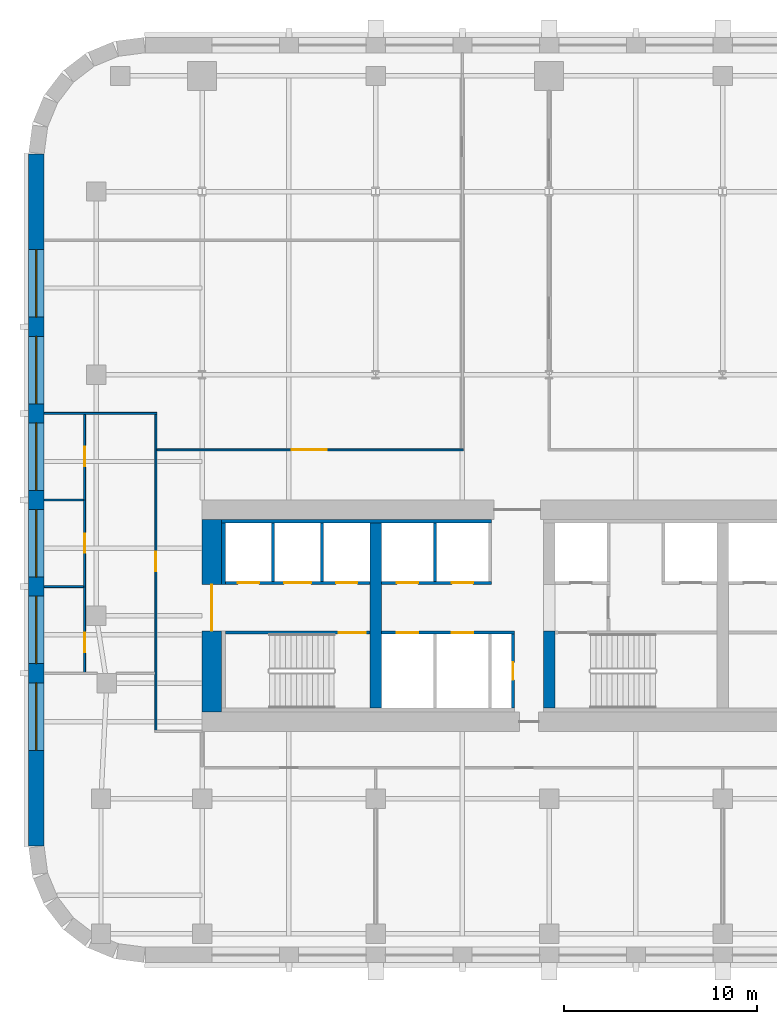
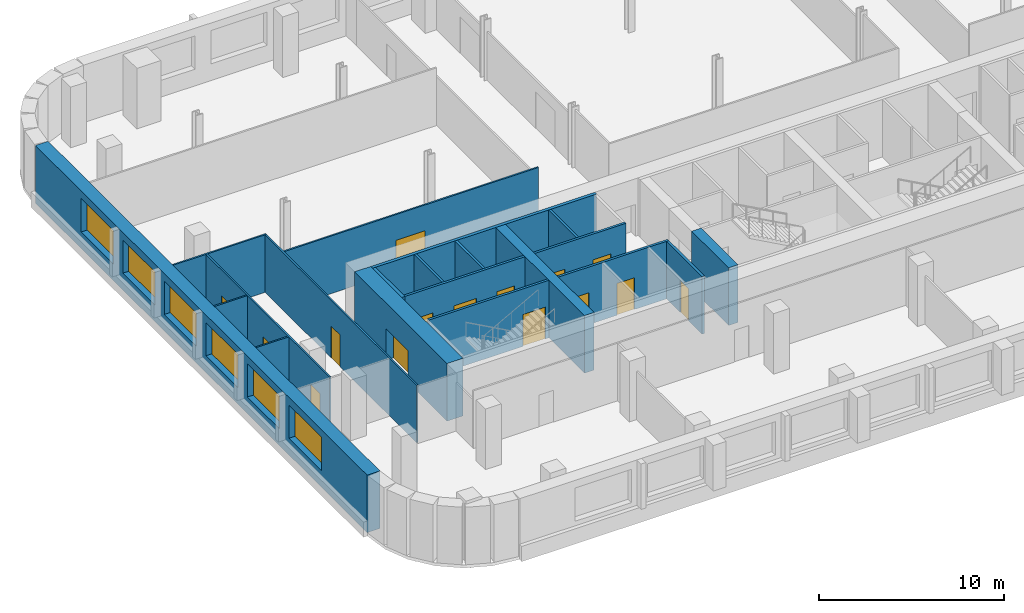
# One storey, part 3 of 9: 20 walls, 15 doors, 6 windows, 21 openings.
"""IFC4 building model written with IfcOpenShell, lengths in metres."""

from ifc_helpers import new_model, si_unit, direction, frame, frame_2d, origin, place, context, subcontext, project, spatial, rectangle, extrude, material, layer, layer_set, type_object, element, fill, save


model = new_model("IFC4")

# Units and contexts
model_context = context("Model", 3, precision=1e-05, world=origin(), true_north=direction((0.0, 1.0)))
body_context = subcontext(model_context, "Body", "Model", "MODEL_VIEW")
ifc_project = project(units=[si_unit("LENGTHUNIT", "METRE"), si_unit("AREAUNIT", "SQUARE_METRE"), si_unit("VOLUMEUNIT", "CUBIC_METRE"), si_unit("PLANEANGLEUNIT", "RADIAN"), si_unit("MASSUNIT", "GRAM", prefix="KILO")], contexts=[model_context])

# Site, building, storey
site_placement = place(None, origin())
site = spatial("IfcSite", under=ifc_project, at=site_placement, CompositionType="ELEMENT")
building_placement = place(site_placement, origin())
building = spatial("IfcBuilding", under=site, at=building_placement, Name="Zellij Exchange Tower", CompositionType="ELEMENT")
storey_placement = place(building_placement, frame((0.0, 0.0, 112.5)))
storey = spatial("IfcBuildingStorey", under=building, at=storey_placement, Name="L24", CompositionType="ELEMENT", Elevation=112.5)

# Walls
ifc_material_1 = material(Name="Concrete C70/85", Category="concrete")
ifc_layer_1 = layer(ifc_material_1, 0.60009765625)
ifc_layer_set_1 = layer_set([ifc_layer_1], Name="Concrete C70/85")
wall_type_1 = type_object("IfcWallType", Name="CORE-CW 600 C70/85", PredefinedType="SHEAR", material=ifc_layer_set_1)
wall_1_placement = place(storey_placement, frame((-18.0, -12.800048828125, 0.0), z_axis=(0.0, 0.0, 1.0), x_axis=(0.0, 1.0, 0.0)))
element("IfcWall", 1, at=wall_1_placement, inside=storey, type_object=wall_type_1, Name="Core cross wall x -18 L24", PredefinedType="SHEAR", context=body_context, shape_type="SweptSolid", body=[
    extrude(rectangle(XDim=9.60009765625, YDim=0.60009765625, at=frame_2d((4.800048828125, 0.0))), origin(), (0.0, 0.0, 1.0), 3.800048828125),
])
wall_2_placement = place(storey_placement, frame((-9.0, -12.800048828125, 0.0), z_axis=(0.0, 0.0, 1.0), x_axis=(0.0, 1.0, 0.0)))
element("IfcWall", 2, at=wall_2_placement, inside=storey, type_object=wall_type_1, Name="Core cross wall pier x -9 a L24", PredefinedType="SHEAR", context=body_context, shape_type="SweptSolid", body=[
    extrude(rectangle(XDim=4.0, YDim=0.60009765625, at=frame_2d((2.0, 0.0))), origin(), (0.0, 0.0, 1.0), 3.800048828125),
])
ifc_material_2 = material(Name="Concrete C30/37", Category="concrete")
ifc_layer_2 = layer(ifc_material_2, 0.199951171875)
ifc_layer_set_2 = layer_set([ifc_layer_2], Name="Concrete C30/37")
wall_type_2 = type_object("IfcWallType", Name="CORE-LW 200 C30/37", PredefinedType="SHEAR", material=ifc_layer_set_2)
wall_3_placement = place(storey_placement, frame((-26.0, -3.10009765625, 0.0), z_axis=(0.0, 0.0, 1.0), x_axis=(1.0, 0.0, 0.0)))
element("IfcWall", 3, at=wall_3_placement, inside=storey, type_object=wall_type_2, Name="Core wall lining front.0 L24", PredefinedType="SHEAR", context=body_context, shape_type="SweptSolid", body=[
    extrude(rectangle(XDim=14.0, YDim=0.199951171875, at=frame_2d((7.0, 0.0))), origin(), (0.0, 0.0, 1.0), 3.800048828125),
])
wall_4_placement = place(storey_placement, frame((-25.89990234375, -6.375, 0.0), z_axis=(0.0, 0.0, 1.0), x_axis=(0.0, 1.0, 0.0)))
element("IfcWall", 4, at=wall_4_placement, inside=storey, type_object=wall_type_2, Name="Core wall lining end w.1 L24", PredefinedType="SHEAR", context=body_context, shape_type="SweptSolid", body=[
    extrude(rectangle(XDim=3.175048828125, YDim=0.199951171875, at=frame_2d((1.58740234375, 0.0))), origin(), (0.0, 0.0, 1.0), 3.800048828125),
])

# Wall, opening, door
ifc_material_3 = material(Name="Gypsum board partition")
ifc_layer_3 = layer(ifc_material_3, 0.14990234375)
ifc_layer_set_3 = layer_set([ifc_layer_3], Name="Gypsum board partition")
wall_type_3 = type_object("IfcWallType", Name="CORE-PW 150 Lift lobby wall", PredefinedType="PARTITIONING", material=ifc_layer_set_3)
wall_5_placement = place(storey_placement, frame((-10.875, -12.800048828125, 0.0), z_axis=(0.0, 0.0, 1.0), x_axis=(0.0, 1.0, 0.0)))
wall_5 = element("IfcWall", 5, at=wall_5_placement, inside=storey, type_object=wall_type_3, Name="Lift lobby wall L24", PredefinedType="PARTITIONING", context=body_context, shape_type="SweptSolid", body=[
    extrude(rectangle(XDim=3.85009765625, YDim=0.14990234375, at=frame_2d((1.925048828125, 0.0))), origin(), (0.0, 0.0, 1.0), 3.800048828125),
])
opening_1_placement = place(wall_5_placement, frame((1.47509765625, 0.0, 0.0)))
opening_1 = element("IfcOpeningElement", 6, at=opening_1_placement, cuts=wall_5, Name="Opening CA-14.10", PredefinedType="OPENING", context=body_context, shape_type="SweptSolid", body=[
    extrude(rectangle(XDim=0.89990234375, YDim=2.10009765625, at=frame_2d((0.449951171875, 1.050048828125))), frame((0.0, 0.0869140625, 0.0), z_axis=(0.0, -1.0, 0.0), x_axis=(1.0, 0.0, 0.0)), (0.0, 0.0, 1.0), 0.173828125),
])
ifc_material_4 = material(Name="Hollow metal fire door")
door_type_1 = type_object("IfcDoorType", Name="CORE-D RD Riser door 900x2100 1.5 HR", OperationType="NOTDEFINED", PredefinedType="DOOR", material=ifc_material_4)
door_1_placement = place(opening_1_placement, origin())
door_1 = element("IfcDoor", 7, at=door_1_placement, inside=storey, type_object=door_type_1, Name="Riser door CA-14.10", OperationType="SINGLE_SWING_RIGHT", OverallHeight=2.10009765625, OverallWidth=0.89990234375, PredefinedType="DOOR", context=body_context, shape_type="SweptSolid", body=[
    extrude(rectangle(XDim=0.89990234375, YDim=2.10009765625, at=frame_2d((0.449951171875, 1.050048828125))), frame((0.0, 0.02490234375, 0.0), z_axis=(0.0, -1.0, 0.0), x_axis=(1.0, 0.0, 0.0)), (0.0, 0.0, 1.0), 0.050048828125),
])
fill(opening_1, door_1)

# Walls
ifc_material_5 = material(Name="Gypsum shaft wall system")
ifc_layer_4 = layer(ifc_material_5, 0.14990234375)
ifc_layer_set_4 = layer_set([ifc_layer_4], Name="Gypsum shaft wall system")
wall_type_4 = type_object("IfcWallType", Name="CORE-PW 150 Lift shaft wall", PredefinedType="PARTITIONING", material=ifc_layer_set_4)
for number, where, z_axis, x_axis, name in (
    (8, (-20.77490234375, -6.22509765625, 0.0), (0.0, 0.0, 1.0), (0.0, 1.0, 0.0), "Lift shaft wall L24"),
    (9, (-23.324951171875, -6.22509765625, 0.0), (0.0, 0.0, 1.0), (0.0, 1.0, 0.0), "Lift shaft wall L24"),
    (10, (-14.925048828125, -6.22509765625, 0.0), (0.0, 0.0, 1.0), (0.0, 1.0, 0.0), "Lift shaft wall L24"),
):
    element("IfcWall", number, at=place(storey_placement, frame(where, z_axis=z_axis, x_axis=x_axis)), inside=storey, type_object=wall_type_4, Name=name, PredefinedType="PARTITIONING", context=body_context, shape_type="SweptSolid", body=[
        extrude(rectangle(XDim=3.025146484375, YDim=0.14990234375, at=frame_2d((1.5126953125, 0.0))), origin(), (0.0, 0.0, 1.0), 3.800048828125),
    ])

# Wall, openings, doors
wall_6_placement = place(storey_placement, frame((-25.800048828125, -6.300048828125, 0.0), z_axis=(0.0, 0.0, 1.0), x_axis=(1.0, 0.0, 0.0)))
wall_6 = element("IfcWall", 11, at=wall_6_placement, inside=storey, type_object=wall_type_4, Name="Lift shaft wall L24", PredefinedType="PARTITIONING", context=body_context, shape_type="SweptSolid", body=[
    extrude(rectangle(XDim=7.5, YDim=0.14990234375, at=frame_2d((3.75, 0.0))), origin(), (0.0, 0.0, 1.0), 3.800048828125),
])
opening_2_placement = place(wall_6_placement, frame((0.64990234375, 0.0, 0.0)))
opening_2 = element("IfcOpeningElement", 12, at=opening_2_placement, cuts=wall_6, Name="Opening CA-14.02", PredefinedType="OPENING", context=body_context, shape_type="SweptSolid", body=[
    extrude(rectangle(XDim=1.10009765625, YDim=2.10009765625, at=frame_2d((0.550048828125, 1.050048828125))), frame((0.0, 0.0869140625, 0.0), z_axis=(0.0, -1.0, 0.0), x_axis=(1.0, 0.0, 0.0)), (0.0, 0.0, 1.0), 0.173828125),
])
opening_3_placement = place(wall_6_placement, frame((3.050048828125, 0.0, 0.0)))
opening_3 = element("IfcOpeningElement", 13, at=opening_3_placement, cuts=wall_6, Name="Opening CA-14.03", PredefinedType="OPENING", context=body_context, shape_type="SweptSolid", body=[
    extrude(rectangle(XDim=1.39990234375, YDim=2.10009765625, at=frame_2d((0.699951171875, 1.050048828125))), frame((0.0, 0.0869140625, 0.0), z_axis=(0.0, -1.0, 0.0), x_axis=(1.0, 0.0, 0.0)), (0.0, 0.0, 1.0), 0.173828125),
])
opening_4_placement = place(wall_6_placement, frame((5.75, 0.0, 0.0)))
opening_4 = element("IfcOpeningElement", 14, at=opening_4_placement, cuts=wall_6, Name="Opening CA-14.04", PredefinedType="OPENING", context=body_context, shape_type="SweptSolid", body=[
    extrude(rectangle(XDim=1.10009765625, YDim=2.10009765625, at=frame_2d((0.550048828125, 1.050048828125))), frame((0.0, 0.0869140625, 0.0), z_axis=(0.0, -1.0, 0.0), x_axis=(1.0, 0.0, 0.0)), (0.0, 0.0, 1.0), 0.173828125),
])
door_type_2 = type_object("IfcDoorType", Name="CORE-D LD Lift landing door 1100x2100 1.5 HR", OperationType="NOTDEFINED", PredefinedType="DOOR", material=ifc_material_4)
door_2_placement = place(opening_2_placement, origin())
door_2 = element("IfcDoor", 15, at=door_2_placement, inside=storey, type_object=door_type_2, Name="Lift landing door CA-14.02", OperationType="SLIDING_TO_RIGHT", OverallHeight=2.10009765625, OverallWidth=1.10009765625, PredefinedType="DOOR", context=body_context, shape_type="SweptSolid", body=[
    extrude(rectangle(XDim=1.10009765625, YDim=2.10009765625, at=frame_2d((0.550048828125, 1.050048828125))), frame((0.0, 0.02490234375, 0.0), z_axis=(0.0, -1.0, 0.0), x_axis=(1.0, 0.0, 0.0)), (0.0, 0.0, 1.0), 0.050048828125),
])
fill(opening_2, door_2)
door_3_placement = place(opening_4_placement, origin())
door_3 = element("IfcDoor", 16, at=door_3_placement, inside=storey, type_object=door_type_2, Name="Lift landing door CA-14.04", OperationType="SLIDING_TO_RIGHT", OverallHeight=2.10009765625, OverallWidth=1.10009765625, PredefinedType="DOOR", context=body_context, shape_type="SweptSolid", body=[
    extrude(rectangle(XDim=1.10009765625, YDim=2.10009765625, at=frame_2d((0.550048828125, 1.050048828125))), frame((0.0, 0.02490234375, 0.0), z_axis=(0.0, -1.0, 0.0), x_axis=(1.0, 0.0, 0.0)), (0.0, 0.0, 1.0), 0.050048828125),
])
fill(opening_4, door_3)
door_type_3 = type_object("IfcDoorType", Name="CORE-D LD2 Service lift landing door 1400x2100 1.5 HR", OperationType="NOTDEFINED", PredefinedType="DOOR", material=ifc_material_4)
door_4_placement = place(opening_3_placement, origin())
door_4 = element("IfcDoor", 17, at=door_4_placement, inside=storey, type_object=door_type_3, Name="Service lift landing door CA-14.03", OperationType="SLIDING_TO_LEFT", OverallHeight=2.10009765625, OverallWidth=1.39990234375, PredefinedType="DOOR", context=body_context, shape_type="SweptSolid", body=[
    extrude(rectangle(XDim=1.39990234375, YDim=2.10009765625, at=frame_2d((0.699951171875, 1.050048828125))), frame((0.0, 0.02490234375, 0.0), z_axis=(0.0, -1.0, 0.0), x_axis=(1.0, 0.0, 0.0)), (0.0, 0.0, 1.0), 0.050048828125),
])
fill(opening_3, door_4)

wall_7_placement = place(storey_placement, frame((-17.699951171875, -6.300048828125, 0.0), z_axis=(0.0, 0.0, 1.0), x_axis=(1.0, 0.0, 0.0)))
wall_7 = element("IfcWall", 18, at=wall_7_placement, inside=storey, type_object=wall_type_4, Name="Lift shaft wall L24", PredefinedType="PARTITIONING", context=body_context, shape_type="SweptSolid", body=[
    extrude(rectangle(XDim=5.699951171875, YDim=0.14990234375, at=frame_2d((2.85009765625, 0.0))), origin(), (0.0, 0.0, 1.0), 3.800048828125),
])
opening_5_placement = place(wall_7_placement, frame((0.800048828125, 0.0, 0.0)))
opening_5 = element("IfcOpeningElement", 19, at=opening_5_placement, cuts=wall_7, Name="Opening CA-14.07", PredefinedType="OPENING", context=body_context, shape_type="SweptSolid", body=[
    extrude(rectangle(XDim=1.10009765625, YDim=2.10009765625, at=frame_2d((0.550048828125, 1.050048828125))), frame((0.0, 0.0869140625, 0.0), z_axis=(0.0, -1.0, 0.0), x_axis=(1.0, 0.0, 0.0)), (0.0, 0.0, 1.0), 0.173828125),
])
opening_6_placement = place(wall_7_placement, frame((3.64990234375, 0.0, 0.0)))
opening_6 = element("IfcOpeningElement", 20, at=opening_6_placement, cuts=wall_7, Name="Opening CA-14.09", PredefinedType="OPENING", context=body_context, shape_type="SweptSolid", body=[
    extrude(rectangle(XDim=1.10009765625, YDim=2.10009765625, at=frame_2d((0.550048828125, 1.050048828125))), frame((0.0, 0.0869140625, 0.0), z_axis=(0.0, -1.0, 0.0), x_axis=(1.0, 0.0, 0.0)), (0.0, 0.0, 1.0), 0.173828125),
])
door_5_placement = place(opening_5_placement, origin())
door_5 = element("IfcDoor", 21, at=door_5_placement, inside=storey, type_object=door_type_2, Name="Lift landing door CA-14.07", OperationType="SLIDING_TO_LEFT", OverallHeight=2.10009765625, OverallWidth=1.10009765625, PredefinedType="DOOR", context=body_context, shape_type="SweptSolid", body=[
    extrude(rectangle(XDim=1.10009765625, YDim=2.10009765625, at=frame_2d((0.550048828125, 1.050048828125))), frame((0.0, 0.02490234375, 0.0), z_axis=(0.0, -1.0, 0.0), x_axis=(1.0, 0.0, 0.0)), (0.0, 0.0, 1.0), 0.050048828125),
])
fill(opening_5, door_5)
door_6_placement = place(opening_6_placement, origin())
door_6 = element("IfcDoor", 22, at=door_6_placement, inside=storey, type_object=door_type_2, Name="Lift landing door CA-14.09", OperationType="SLIDING_TO_LEFT", OverallHeight=2.10009765625, OverallWidth=1.10009765625, PredefinedType="DOOR", context=body_context, shape_type="SweptSolid", body=[
    extrude(rectangle(XDim=1.10009765625, YDim=2.10009765625, at=frame_2d((0.550048828125, 1.050048828125))), frame((0.0, 0.02490234375, 0.0), z_axis=(0.0, -1.0, 0.0), x_axis=(1.0, 0.0, 0.0)), (0.0, 0.0, 1.0), 0.050048828125),
])
fill(opening_6, door_6)

wall_8_placement = place(storey_placement, frame((-17.699951171875, -8.875, 0.0), z_axis=(0.0, 0.0, 1.0), x_axis=(1.0, 0.0, 0.0)))
wall_8 = element("IfcWall", 23, at=wall_8_placement, inside=storey, type_object=wall_type_4, Name="Lift shaft wall L24", PredefinedType="PARTITIONING", context=body_context, shape_type="SweptSolid", body=[
    extrude(rectangle(XDim=6.89990234375, YDim=0.14990234375, at=frame_2d((3.449951171875, 0.0))), origin(), (0.0, 0.0, 1.0), 3.800048828125),
])
opening_7_placement = place(wall_8_placement, frame((0.800048828125, 0.0, 0.0)))
opening_7 = element("IfcOpeningElement", 24, at=opening_7_placement, cuts=wall_8, Name="Opening CA-14.06", PredefinedType="OPENING", context=body_context, shape_type="SweptSolid", body=[
    extrude(rectangle(XDim=1.10009765625, YDim=2.10009765625, at=frame_2d((0.550048828125, 1.050048828125))), frame((0.0, 0.0869140625, 0.0), z_axis=(0.0, -1.0, 0.0), x_axis=(1.0, 0.0, 0.0)), (0.0, 0.0, 1.0), 0.173828125),
])
opening_8_placement = place(wall_8_placement, frame((3.64990234375, 0.0, 0.0)))
opening_8 = element("IfcOpeningElement", 25, at=opening_8_placement, cuts=wall_8, Name="Opening CA-14.08", PredefinedType="OPENING", context=body_context, shape_type="SweptSolid", body=[
    extrude(rectangle(XDim=1.10009765625, YDim=2.10009765625, at=frame_2d((0.550048828125, 1.050048828125))), frame((0.0, 0.0869140625, 0.0), z_axis=(0.0, -1.0, 0.0), x_axis=(1.0, 0.0, 0.0)), (0.0, 0.0, 1.0), 0.173828125),
])
door_7_placement = place(opening_7_placement, origin())
door_7 = element("IfcDoor", 26, at=door_7_placement, inside=storey, type_object=door_type_2, Name="Lift landing door CA-14.06", OperationType="SLIDING_TO_RIGHT", OverallHeight=2.10009765625, OverallWidth=1.10009765625, PredefinedType="DOOR", context=body_context, shape_type="SweptSolid", body=[
    extrude(rectangle(XDim=1.10009765625, YDim=2.10009765625, at=frame_2d((0.550048828125, 1.050048828125))), frame((0.0, 0.02490234375, 0.0), z_axis=(0.0, -1.0, 0.0), x_axis=(1.0, 0.0, 0.0)), (0.0, 0.0, 1.0), 0.050048828125),
])
fill(opening_7, door_7)
door_8_placement = place(opening_8_placement, origin())
door_8 = element("IfcDoor", 27, at=door_8_placement, inside=storey, type_object=door_type_2, Name="Lift landing door CA-14.08", OperationType="SLIDING_TO_RIGHT", OverallHeight=2.10009765625, OverallWidth=1.10009765625, PredefinedType="DOOR", context=body_context, shape_type="SweptSolid", body=[
    extrude(rectangle(XDim=1.10009765625, YDim=2.10009765625, at=frame_2d((0.550048828125, 1.050048828125))), frame((0.0, 0.02490234375, 0.0), z_axis=(0.0, -1.0, 0.0), x_axis=(1.0, 0.0, 0.0)), (0.0, 0.0, 1.0), 0.050048828125),
])
fill(opening_8, door_8)

# Wall, opening, door
ifc_layer_5 = layer(ifc_material_1, 1.0)
ifc_layer_set_5 = layer_set([ifc_layer_5], Name="Concrete C70/85")
wall_type_5 = type_object("IfcWallType", Name="CORE-SW 1000 C70/85", PredefinedType="SHEAR", material=ifc_layer_set_5)
wall_9_placement = place(storey_placement, frame((-26.5, -13.0, 0.0), z_axis=(0.0, 0.0, 1.0), x_axis=(0.0, 1.0, 0.0)))
wall_9 = element("IfcWall", 28, at=wall_9_placement, inside=storey, type_object=wall_type_5, Name="Core shear wall end w L24", PredefinedType="SHEAR", context=body_context, shape_type="SweptSolid", body=[
    extrude(rectangle(XDim=10.0, YDim=1.0, at=frame_2d((5.0, 0.0))), origin(), (0.0, 0.0, 1.0), 3.800048828125),
])
opening_9_placement = place(wall_9_placement, frame((4.2119140625, 0.0, 0.0)))
opening_9 = element("IfcOpeningElement", 29, at=opening_9_placement, cuts=wall_9, Name="Opening CA-14.01", PredefinedType="OPENING", context=body_context, shape_type="SweptSolid", body=[
    extrude(rectangle(XDim=2.39990234375, YDim=2.10009765625, at=frame_2d((1.199951171875, 1.050048828125))), frame((0.0, 0.511962890625, 0.0), z_axis=(0.0, -1.0, 0.0), x_axis=(1.0, 0.0, 0.0)), (0.0, 0.0, 1.0), 1.02392578125),
])
door_type_4 = type_object("IfcDoorType", Name="CORE-D CE Core entrance door 2400x2100 20 MIN", OperationType="NOTDEFINED", PredefinedType="DOOR", material=ifc_material_4)
door_9_placement = place(opening_9_placement, origin())
door_9 = element("IfcDoor", 30, at=door_9_placement, inside=storey, type_object=door_type_4, Name="Core entrance door CA-14.01", OperationType="DOUBLE_DOOR_SINGLE_SWING", OverallHeight=2.10009765625, OverallWidth=2.39990234375, PredefinedType="DOOR", context=body_context, shape_type="SweptSolid", body=[
    extrude(rectangle(XDim=2.39990234375, YDim=2.10009765625, at=frame_2d((1.199951171875, 1.050048828125))), frame((0.0, 0.02490234375, 0.0), z_axis=(0.0, -1.0, 0.0), x_axis=(1.0, 0.0, 0.0)), (0.0, 0.0, 1.0), 0.050048828125),
])
fill(opening_9, door_9)

ifc_layer_6 = layer(ifc_material_1, 0.14990234375)
ifc_layer_set_6 = layer_set([ifc_layer_6], Name="Concrete C70/85")
wall_type_6 = type_object("IfcWallType", Name="CORE-SWS 150 C70/85", PredefinedType="SHEAR", material=ifc_layer_set_6)
wall_10_placement = place(storey_placement, frame((-25.800048828125, -8.875, 0.0), z_axis=(0.0, 0.0, 1.0), x_axis=(1.0, 0.0, 0.0)))
wall_10 = element("IfcWall", 31, at=wall_10_placement, inside=storey, type_object=wall_type_6, Name="Stair enclosure wall L24", PredefinedType="SHEAR", context=body_context, shape_type="SweptSolid", body=[
    extrude(rectangle(XDim=7.5, YDim=0.14990234375, at=frame_2d((3.75, 0.0))), origin(), (0.0, 0.0, 1.0), 3.800048828125),
])
opening_10_placement = place(wall_10_placement, frame((5.875, 0.0, 0.0)))
opening_10 = element("IfcOpeningElement", 32, at=opening_10_placement, cuts=wall_10, Name="Opening CA-14.05", PredefinedType="OPENING", context=body_context, shape_type="SweptSolid", body=[
    extrude(rectangle(XDim=1.39990234375, YDim=2.10009765625, at=frame_2d((0.699951171875, 1.050048828125))), frame((0.0, 0.0869140625, 0.0), z_axis=(0.0, -1.0, 0.0), x_axis=(1.0, 0.0, 0.0)), (0.0, 0.0, 1.0), 0.173828125),
])
door_type_5 = type_object("IfcDoorType", Name="CORE-D SD Stair door 1400x2100 1.5 HR", OperationType="NOTDEFINED", PredefinedType="DOOR", material=ifc_material_4)
door_10_placement = place(opening_10_placement, origin())
door_10 = element("IfcDoor", 33, at=door_10_placement, inside=storey, type_object=door_type_5, Name="Stair door CA-14.05", OperationType="DOUBLE_DOOR_SINGLE_SWING", OverallHeight=2.10009765625, OverallWidth=1.39990234375, PredefinedType="DOOR", context=body_context, shape_type="SweptSolid", body=[
    extrude(rectangle(XDim=1.39990234375, YDim=2.10009765625, at=frame_2d((0.699951171875, 1.050048828125))), frame((0.0, 0.02490234375, 0.0), z_axis=(0.0, -1.0, 0.0), x_axis=(1.0, 0.0, 0.0)), (0.0, 0.0, 1.0), 0.050048828125),
])
fill(opening_10, door_10)

# Wall, openings, windows
ifc_material_6 = material(Name="Precast concrete C40/50", Category="concrete")
ifc_layer_7 = layer(ifc_material_6, 0.800048828125)
ifc_layer_set_7 = layer_set([ifc_layer_7], Name="Precast concrete C40/50")
wall_type_7 = type_object("IfcWallType", Name="ENV-EW1 Precast stone-piered wall 800", PredefinedType="SOLIDWALL", material=ifc_layer_set_7)
wall_11_placement = place(storey_placement, frame((-35.60009765625, 15.947509765625, 0.0), z_axis=(0.0, 0.0, 1.0), x_axis=(0.0, -1.0, 0.0)))
wall_11 = element("IfcWall", 34, at=wall_11_placement, inside=storey, type_object=wall_type_7, Name="fac.L24.26", PredefinedType="SOLIDWALL", context=body_context, shape_type="SweptSolid", body=[
    extrude(rectangle(XDim=35.89501953125, YDim=0.800048828125, at=frame_2d((17.947509765625, 0.0))), origin(), (0.0, 0.0, 1.0), 3.800048828125),
])
opening_11_placement = place(wall_11_placement, frame((4.9638671875, 0.0, 1.10009765625)))
opening_11 = element("IfcOpeningElement", 35, at=opening_11_placement, cuts=wall_11, Name="Opening FZ2.31", PredefinedType="OPENING", context=body_context, shape_type="SweptSolid", body=[
    extrude(rectangle(XDim=3.5, YDim=2.199951171875, at=frame_2d((1.75, 1.10009765625))), frame((0.0, 0.412109375, 0.0), z_axis=(0.0, -1.0, 0.0), x_axis=(1.0, 0.0, 0.0)), (0.0, 0.0, 1.0), 0.823974609375),
])
opening_12_placement = place(wall_11_placement, frame((9.45751953125, 0.0, 1.10009765625)))
opening_12 = element("IfcOpeningElement", 36, at=opening_12_placement, cuts=wall_11, Name="Opening FZ2.32", PredefinedType="OPENING", context=body_context, shape_type="SweptSolid", body=[
    extrude(rectangle(XDim=3.5, YDim=2.199951171875, at=frame_2d((1.75, 1.10009765625))), frame((0.0, 0.412109375, 0.0), z_axis=(0.0, -1.0, 0.0), x_axis=(1.0, 0.0, 0.0)), (0.0, 0.0, 1.0), 0.823974609375),
])
opening_13_placement = place(wall_11_placement, frame((13.950927734375, 0.0, 1.10009765625)))
opening_13 = element("IfcOpeningElement", 37, at=opening_13_placement, cuts=wall_11, Name="Opening FZ2.33", PredefinedType="OPENING", context=body_context, shape_type="SweptSolid", body=[
    extrude(rectangle(XDim=3.5, YDim=2.199951171875, at=frame_2d((1.75, 1.10009765625))), frame((0.0, 0.412109375, 0.0), z_axis=(0.0, -1.0, 0.0), x_axis=(1.0, 0.0, 0.0)), (0.0, 0.0, 1.0), 0.823974609375),
])
opening_14_placement = place(wall_11_placement, frame((18.4443359375, 0.0, 1.10009765625)))
opening_14 = element("IfcOpeningElement", 38, at=opening_14_placement, cuts=wall_11, Name="Opening FZ2.34", PredefinedType="OPENING", context=body_context, shape_type="SweptSolid", body=[
    extrude(rectangle(XDim=3.5, YDim=2.199951171875, at=frame_2d((1.75, 1.10009765625))), frame((0.0, 0.412109375, 0.0), z_axis=(0.0, -1.0, 0.0), x_axis=(1.0, 0.0, 0.0)), (0.0, 0.0, 1.0), 0.823974609375),
])
opening_15_placement = place(wall_11_placement, frame((22.937744140625, 0.0, 1.10009765625)))
opening_15 = element("IfcOpeningElement", 39, at=opening_15_placement, cuts=wall_11, Name="Opening FZ2.35", PredefinedType="OPENING", context=body_context, shape_type="SweptSolid", body=[
    extrude(rectangle(XDim=3.5, YDim=2.199951171875, at=frame_2d((1.75, 1.10009765625))), frame((0.0, 0.412109375, 0.0), z_axis=(0.0, -1.0, 0.0), x_axis=(1.0, 0.0, 0.0)), (0.0, 0.0, 1.0), 0.823974609375),
])
opening_16_placement = place(wall_11_placement, frame((27.43115234375, 0.0, 1.10009765625)))
opening_16 = element("IfcOpeningElement", 40, at=opening_16_placement, cuts=wall_11, Name="Opening FZ2.36", PredefinedType="OPENING", context=body_context, shape_type="SweptSolid", body=[
    extrude(rectangle(XDim=3.5, YDim=2.199951171875, at=frame_2d((1.75, 1.10009765625))), frame((0.0, 0.412109375, 0.0), z_axis=(0.0, -1.0, 0.0), x_axis=(1.0, 0.0, 0.0)), (0.0, 0.0, 1.0), 0.823974609375),
])
ifc_material_7 = material(Name="Aluminium frame with insulating glass", Category="aluminium")
window_type = type_object("IfcWindowType", Name="ENV-W7 Window 3500x2200", PartitioningType="SINGLE_PANEL", PredefinedType="WINDOW", material=ifc_material_7)
window_1_placement = place(opening_11_placement, origin())
window_1 = element("IfcWindow", 41, at=window_1_placement, inside=storey, type_object=window_type, Name="Window FZ2.31", OverallHeight=2.199951171875, OverallWidth=3.5, PartitioningType="SINGLE_PANEL", PredefinedType="WINDOW", context=body_context, shape_type="SweptSolid", body=[
    extrude(rectangle(XDim=3.5, YDim=2.199951171875, at=frame_2d((1.75, 1.10009765625))), frame((0.0, 0.030029296875, 0.0), z_axis=(0.0, -1.0, 0.0), x_axis=(1.0, 0.0, 0.0)), (0.0, 0.0, 1.0), 0.06005859375),
])
fill(opening_11, window_1)
window_2_placement = place(opening_12_placement, origin())
window_2 = element("IfcWindow", 42, at=window_2_placement, inside=storey, type_object=window_type, Name="Window FZ2.32", OverallHeight=2.199951171875, OverallWidth=3.5, PartitioningType="SINGLE_PANEL", PredefinedType="WINDOW", context=body_context, shape_type="SweptSolid", body=[
    extrude(rectangle(XDim=3.5, YDim=2.199951171875, at=frame_2d((1.75, 1.10009765625))), frame((0.0, 0.030029296875, 0.0), z_axis=(0.0, -1.0, 0.0), x_axis=(1.0, 0.0, 0.0)), (0.0, 0.0, 1.0), 0.06005859375),
])
fill(opening_12, window_2)
window_3_placement = place(opening_13_placement, origin())
window_3 = element("IfcWindow", 43, at=window_3_placement, inside=storey, type_object=window_type, Name="Window FZ2.33", OverallHeight=2.199951171875, OverallWidth=3.5, PartitioningType="SINGLE_PANEL", PredefinedType="WINDOW", context=body_context, shape_type="SweptSolid", body=[
    extrude(rectangle(XDim=3.5, YDim=2.199951171875, at=frame_2d((1.75, 1.10009765625))), frame((0.0, 0.030029296875, 0.0), z_axis=(0.0, -1.0, 0.0), x_axis=(1.0, 0.0, 0.0)), (0.0, 0.0, 1.0), 0.06005859375),
])
fill(opening_13, window_3)
window_4_placement = place(opening_14_placement, origin())
window_4 = element("IfcWindow", 44, at=window_4_placement, inside=storey, type_object=window_type, Name="Window FZ2.34", OverallHeight=2.199951171875, OverallWidth=3.5, PartitioningType="SINGLE_PANEL", PredefinedType="WINDOW", context=body_context, shape_type="SweptSolid", body=[
    extrude(rectangle(XDim=3.5, YDim=2.199951171875, at=frame_2d((1.75, 1.10009765625))), frame((0.0, 0.030029296875, 0.0), z_axis=(0.0, -1.0, 0.0), x_axis=(1.0, 0.0, 0.0)), (0.0, 0.0, 1.0), 0.06005859375),
])
fill(opening_14, window_4)
window_5_placement = place(opening_15_placement, origin())
window_5 = element("IfcWindow", 45, at=window_5_placement, inside=storey, type_object=window_type, Name="Window FZ2.35", OverallHeight=2.199951171875, OverallWidth=3.5, PartitioningType="SINGLE_PANEL", PredefinedType="WINDOW", context=body_context, shape_type="SweptSolid", body=[
    extrude(rectangle(XDim=3.5, YDim=2.199951171875, at=frame_2d((1.75, 1.10009765625))), frame((0.0, 0.030029296875, 0.0), z_axis=(0.0, -1.0, 0.0), x_axis=(1.0, 0.0, 0.0)), (0.0, 0.0, 1.0), 0.06005859375),
])
fill(opening_15, window_5)
window_6_placement = place(opening_16_placement, origin())
window_6 = element("IfcWindow", 46, at=window_6_placement, inside=storey, type_object=window_type, Name="Window FZ2.36", OverallHeight=2.199951171875, OverallWidth=3.5, PartitioningType="SINGLE_PANEL", PredefinedType="WINDOW", context=body_context, shape_type="SweptSolid", body=[
    extrude(rectangle(XDim=3.5, YDim=2.199951171875, at=frame_2d((1.75, 1.10009765625))), frame((0.0, 0.030029296875, 0.0), z_axis=(0.0, -1.0, 0.0), x_axis=(1.0, 0.0, 0.0)), (0.0, 0.0, 1.0), 0.06005859375),
])
fill(opening_16, window_6)

# Wall, opening, door
ifc_material_8 = material(Name="Gypsum board partition on steel studs", Category="steel")
ifc_layer_8 = layer(ifc_material_8, 0.10009765625)
ifc_layer_set_8 = layer_set([ifc_layer_8], Name="Gypsum board partition on steel studs")
wall_type_8 = type_object("IfcWallType", Name="FIT-PARTITION-100", PredefinedType="PARTITIONING", material=ifc_layer_set_8)
wall_12_placement = place(storey_placement, frame((-29.39990234375, -13.949951171875, 0.0), z_axis=(0.0, 0.0, 1.0), x_axis=(0.0, 1.0, 0.0)))
wall_12 = element("IfcWall", 47, at=wall_12_placement, inside=storey, type_object=wall_type_8, Name="FIT-PARTITION-100 011", PredefinedType="PARTITIONING", context=body_context, shape_type="SweptSolid", body=[
    extrude(rectangle(XDim=16.389892578125, YDim=0.10009765625, at=frame_2d((8.19482421875, 0.0))), origin(), (0.0, 0.0, 1.0), 3.800048828125),
])
opening_17_placement = place(wall_12_placement, frame((8.260009765625, 0.0, 0.0)))
opening_17 = element("IfcOpeningElement", 48, at=opening_17_placement, cuts=wall_12, Name="Opening TE.07", PredefinedType="OPENING", context=body_context, shape_type="SweptSolid", body=[
    extrude(rectangle(XDim=1.0, YDim=2.10009765625, at=frame_2d((0.5, 1.050048828125))), frame((0.0, 0.06201171875, 0.0), z_axis=(0.0, -1.0, 0.0), x_axis=(1.0, 0.0, 0.0)), (0.0, 0.0, 1.0), 0.1240234375),
])
ifc_material_9 = material(Name="Timber door set", Category="wood")
door_type_6 = type_object("IfcDoorType", Name="FIT-D2-WIDE-1000X2100", OperationType="SINGLE_SWING_LEFT", PredefinedType="DOOR", material=ifc_material_9)
door_11_placement = place(opening_17_placement, origin())
door_11 = element("IfcDoor", 49, at=door_11_placement, inside=storey, type_object=door_type_6, Name="Door TE.07", OperationType="SINGLE_SWING_RIGHT", OverallHeight=2.10009765625, OverallWidth=1.0, PredefinedType="DOOR", context=body_context, shape_type="SweptSolid", body=[
    extrude(rectangle(XDim=1.0, YDim=2.10009765625, at=frame_2d((0.5, 1.050048828125))), frame((0.0, 0.02490234375, 0.0), z_axis=(0.0, -1.0, 0.0), x_axis=(1.0, 0.0, 0.0)), (0.0, 0.0, 1.0), 0.050048828125),
])
fill(opening_17, door_11)

# Wall, openings, doors
wall_13_placement = place(storey_placement, frame((-33.10009765625, -10.93994140625, 0.0), z_axis=(0.0, 0.0, 1.0), x_axis=(0.0, 1.0, 0.0)))
wall_13 = element("IfcWall", 50, at=wall_13_placement, inside=storey, type_object=wall_type_8, Name="FIT-PARTITION-100 016", PredefinedType="PARTITIONING", context=body_context, shape_type="SweptSolid", body=[
    extrude(rectangle(XDim=13.3798828125, YDim=0.10009765625, at=frame_2d((6.68994140625, 0.0))), origin(), (0.0, 0.0, 1.0), 3.800048828125),
])
opening_18_placement = place(wall_13_placement, frame((1.050048828125, 0.0, 0.0)))
opening_18 = element("IfcOpeningElement", 51, at=opening_18_placement, cuts=wall_13, Name="Opening TE.05", PredefinedType="OPENING", context=body_context, shape_type="SweptSolid", body=[
    extrude(rectangle(XDim=1.0, YDim=2.10009765625, at=frame_2d((0.5, 1.050048828125))), frame((0.0, 0.06201171875, 0.0), z_axis=(0.0, -1.0, 0.0), x_axis=(1.0, 0.0, 0.0)), (0.0, 0.0, 1.0), 0.1240234375),
])
opening_19_placement = place(wall_13_placement, frame((6.199951171875, 0.0, 0.0)))
opening_19 = element("IfcOpeningElement", 52, at=opening_19_placement, cuts=wall_13, Name="Opening TE.08", PredefinedType="OPENING", context=body_context, shape_type="SweptSolid", body=[
    extrude(rectangle(XDim=1.0, YDim=2.10009765625, at=frame_2d((0.5, 1.050048828125))), frame((0.0, 0.06201171875, 0.0), z_axis=(0.0, -1.0, 0.0), x_axis=(1.0, 0.0, 0.0)), (0.0, 0.0, 1.0), 0.1240234375),
])
opening_20_placement = place(wall_13_placement, frame((10.68994140625, 0.0, 0.0)))
opening_20 = element("IfcOpeningElement", 53, at=opening_20_placement, cuts=wall_13, Name="Opening TE.09", PredefinedType="OPENING", context=body_context, shape_type="SweptSolid", body=[
    extrude(rectangle(XDim=1.0, YDim=2.10009765625, at=frame_2d((0.5, 1.050048828125))), frame((0.0, 0.06201171875, 0.0), z_axis=(0.0, -1.0, 0.0), x_axis=(1.0, 0.0, 0.0)), (0.0, 0.0, 1.0), 0.1240234375),
])
door_12_placement = place(opening_18_placement, origin())
door_12 = element("IfcDoor", 54, at=door_12_placement, inside=storey, type_object=door_type_6, Name="Door TE.05", OperationType="SINGLE_SWING_RIGHT", OverallHeight=2.10009765625, OverallWidth=1.0, PredefinedType="DOOR", context=body_context, shape_type="SweptSolid", body=[
    extrude(rectangle(XDim=1.0, YDim=2.10009765625, at=frame_2d((0.5, 1.050048828125))), frame((0.0, 0.02490234375, 0.0), z_axis=(0.0, -1.0, 0.0), x_axis=(1.0, 0.0, 0.0)), (0.0, 0.0, 1.0), 0.050048828125),
])
fill(opening_18, door_12)
door_13_placement = place(opening_19_placement, origin())
door_13 = element("IfcDoor", 55, at=door_13_placement, inside=storey, type_object=door_type_6, Name="Door TE.08", OperationType="SINGLE_SWING_LEFT", OverallHeight=2.10009765625, OverallWidth=1.0, PredefinedType="DOOR", context=body_context, shape_type="SweptSolid", body=[
    extrude(rectangle(XDim=1.0, YDim=2.10009765625, at=frame_2d((0.5, 1.050048828125))), frame((0.0, 0.02490234375, 0.0), z_axis=(0.0, -1.0, 0.0), x_axis=(1.0, 0.0, 0.0)), (0.0, 0.0, 1.0), 0.050048828125),
])
fill(opening_19, door_13)
door_14_placement = place(opening_20_placement, origin())
door_14 = element("IfcDoor", 56, at=door_14_placement, inside=storey, type_object=door_type_6, Name="Door TE.09", OperationType="SINGLE_SWING_LEFT", OverallHeight=2.10009765625, OverallWidth=1.0, PredefinedType="DOOR", context=body_context, shape_type="SweptSolid", body=[
    extrude(rectangle(XDim=1.0, YDim=2.10009765625, at=frame_2d((0.5, 1.050048828125))), frame((0.0, 0.02490234375, 0.0), z_axis=(0.0, -1.0, 0.0), x_axis=(1.0, 0.0, 0.0)), (0.0, 0.0, 1.0), 0.050048828125),
])
fill(opening_20, door_14)

# Walls
for number, where, z_axis, x_axis, name in (
    (57, (-35.199951171875, -6.489990234375, 0.0), (0.0, 0.0, 1.0), (1.0, 0.0, 0.0), "FIT-PARTITION-100 018"),
    (58, (-35.199951171875, -2.0, 0.0), (0.0, 0.0, 1.0), (1.0, 0.0, 0.0), "FIT-PARTITION-100 021"),
):
    element("IfcWall", number, at=place(storey_placement, frame(where, z_axis=z_axis, x_axis=x_axis)), inside=storey, type_object=wall_type_8, Name=name, PredefinedType="PARTITIONING", context=body_context, shape_type="SweptSolid", body=[
        extrude(rectangle(XDim=2.050048828125, YDim=0.10009765625, at=frame_2d((1.02490234375, 0.0))), origin(), (0.0, 0.0, 1.0), 3.800048828125),
    ])

# Wall, opening, door
wall_14_placement = place(storey_placement, frame((-29.35009765625, 0.60009765625, 0.0), z_axis=(0.0, 0.0, 1.0), x_axis=(1.0, 0.0, 0.0)))
wall_14 = element("IfcWall", 59, at=wall_14_placement, inside=storey, type_object=wall_type_8, Name="FIT-PARTITION-100 023", PredefinedType="PARTITIONING", context=body_context, shape_type="SweptSolid", body=[
    extrude(rectangle(XDim=15.900146484375, YDim=0.10009765625, at=frame_2d((7.9501953125, 0.0))), origin(), (0.0, 0.0, 1.0), 3.800048828125),
])
opening_21_placement = place(wall_14_placement, frame((7.0, 0.0, 0.0)))
opening_21 = element("IfcOpeningElement", 60, at=opening_21_placement, cuts=wall_14, Name="Opening TE.10", PredefinedType="OPENING", context=body_context, shape_type="SweptSolid", body=[
    extrude(rectangle(XDim=1.800048828125, YDim=2.10009765625, at=frame_2d((0.89990234375, 1.050048828125))), frame((0.0, 0.06201171875, 0.0), z_axis=(0.0, -1.0, 0.0), x_axis=(1.0, 0.0, 0.0)), (0.0, 0.0, 1.0), 0.1240234375),
])
door_type_7 = type_object("IfcDoorType", Name="FIT-D3-DOUBLE-1800X2100", OperationType="DOUBLE_DOOR_SINGLE_SWING", PredefinedType="DOOR", material=ifc_material_9)
door_15_placement = place(opening_21_placement, origin())
door_15 = element("IfcDoor", 61, at=door_15_placement, inside=storey, type_object=door_type_7, Name="Door TE.10", OperationType="DOUBLE_DOOR_SINGLE_SWING", OverallHeight=2.10009765625, OverallWidth=1.800048828125, PredefinedType="DOOR", context=body_context, shape_type="SweptSolid", body=[
    extrude(rectangle(XDim=1.800048828125, YDim=2.10009765625, at=frame_2d((0.89990234375, 1.050048828125))), frame((0.0, 0.02490234375, 0.0), z_axis=(0.0, -1.0, 0.0), x_axis=(1.0, 0.0, 0.0)), (0.0, 0.0, 1.0), 0.050048828125),
])
fill(opening_21, door_15)

# Wall
wall_15_placement = place(storey_placement, frame((-35.199951171875, 2.489990234375, 0.0), z_axis=(0.0, 0.0, 1.0), x_axis=(1.0, 0.0, 0.0)))
element("IfcWall", 62, at=wall_15_placement, inside=storey, type_object=wall_type_8, Name="FIT-PARTITION-100 037", PredefinedType="PARTITIONING", context=body_context, shape_type="SweptSolid", body=[
    extrude(rectangle(XDim=5.849853515625, YDim=0.10009765625, at=frame_2d((2.9248046875, 0.0))), origin(), (0.0, 0.0, 1.0), 3.800048828125),
])

save(model, "model.ifc")
